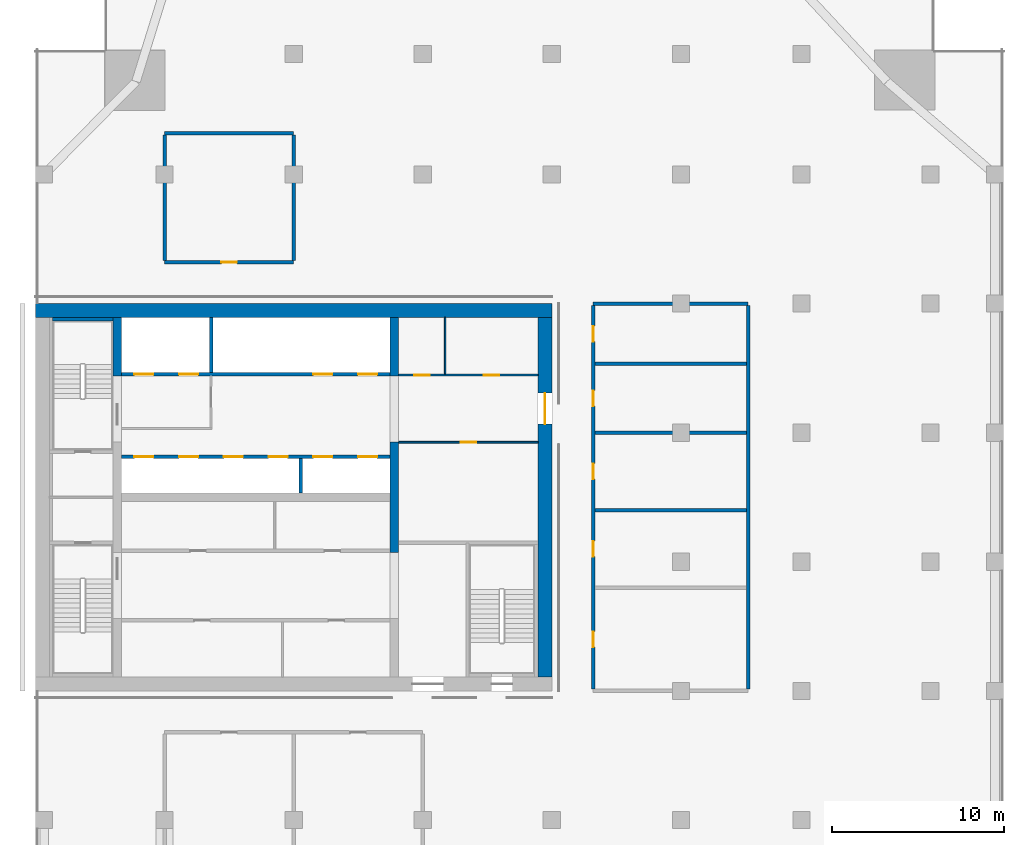
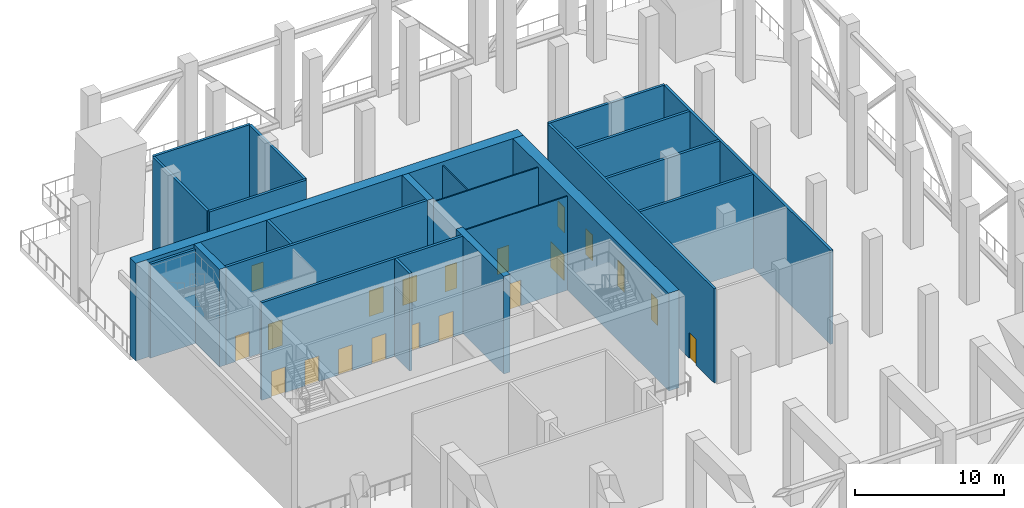
# One storey, part 4 of 12: 23 walls, 20 doors, 20 openings.
"""IFC4 building model written with IfcOpenShell, lengths in metres."""

from ifc_helpers import new_model, si_unit, direction, frame, frame_2d, origin, place, context, subcontext, project, spatial, rectangle, extrude, material, layer, layer_set, type_object, element, fill, save


model = new_model("IFC4")

# Units and contexts
model_context = context("Model", 3, precision=1e-05, world=origin(), true_north=direction((0.0, 1.0)))
body_context = subcontext(model_context, "Body", "Model", "MODEL_VIEW")
ifc_project = project(units=[si_unit("LENGTHUNIT", "METRE"), si_unit("AREAUNIT", "SQUARE_METRE"), si_unit("VOLUMEUNIT", "CUBIC_METRE"), si_unit("PLANEANGLEUNIT", "RADIAN"), si_unit("MASSUNIT", "GRAM", prefix="KILO")], contexts=[model_context])

# Site, building, storey
site_placement = place(None, origin())
site = spatial("IfcSite", under=ifc_project, at=site_placement, CompositionType="ELEMENT")
building_placement = place(site_placement, origin())
building = spatial("IfcBuilding", under=site, at=building_placement, Name="Tamorin Gate", CompositionType="ELEMENT")
storey_placement = place(building_placement, frame((0.0, 0.0, 166.199951171875)))
storey = spatial("IfcBuildingStorey", under=building, at=storey_placement, Name="L41", CompositionType="ELEMENT", Elevation=166.199951171875)

# Wall, openings, doors
ifc_material_1 = material(Name="Concrete C32/40", Category="concrete")
ifc_layer_1 = layer(ifc_material_1, 0.199951171875)
ifc_layer_set_1 = layer_set([ifc_layer_1], Name="Lift lobby face wall 200 EI 120")
wall_type_1 = type_object("IfcWallType", Name="Lift lobby face wall 200 EI 120", PredefinedType="SOLIDWALL", material=ifc_layer_set_1)
wall_1_placement = place(storey_placement, frame((35.0, 73.60009765625, 0.0), z_axis=(0.0, 0.0, 1.0), x_axis=(1.0, 0.0, 0.0)))
wall_1 = element("IfcWall", 1, at=wall_1_placement, inside=storey, type_object=wall_type_1, Name="Lift lobby face wall", PredefinedType="SOLIDWALL", context=body_context, shape_type="SweptSolid", body=[
    extrude(rectangle(XDim=15.60009765625, YDim=0.199951171875, at=frame_2d((7.800048828125, 0.0))), origin(), (0.0, 0.0, 1.0), 8.0),
])
opening_1_placement = place(wall_1_placement, frame((0.75, 0.0, 0.0)))
opening_1 = element("IfcOpeningElement", 2, at=opening_1_placement, cuts=wall_1, Name="Opening LD11", PredefinedType="OPENING", context=body_context, shape_type="SweptSolid", body=[
    extrude(rectangle(XDim=1.10009765625, YDim=2.10009765625, at=frame_2d((0.550048828125, 1.050048828125))), frame((0.0, 0.10986328125, 0.0), z_axis=(0.0, -1.0, 0.0), x_axis=(1.0, 0.0, 0.0)), (0.0, 0.0, 1.0), 0.219970703125),
])
opening_2_placement = place(wall_1_placement, frame((3.35009765625, 0.0, 0.0)))
opening_2 = element("IfcOpeningElement", 3, at=opening_2_placement, cuts=wall_1, Name="Opening LD12", PredefinedType="OPENING", context=body_context, shape_type="SweptSolid", body=[
    extrude(rectangle(XDim=1.10009765625, YDim=2.10009765625, at=frame_2d((0.550048828125, 1.050048828125))), frame((0.0, 0.10986328125, 0.0), z_axis=(0.0, -1.0, 0.0), x_axis=(1.0, 0.0, 0.0)), (0.0, 0.0, 1.0), 0.219970703125),
])
opening_3_placement = place(wall_1_placement, frame((5.949951171875, 0.0, 0.0)))
opening_3 = element("IfcOpeningElement", 4, at=opening_3_placement, cuts=wall_1, Name="Opening LD13", PredefinedType="OPENING", context=body_context, shape_type="SweptSolid", body=[
    extrude(rectangle(XDim=1.10009765625, YDim=2.10009765625, at=frame_2d((0.550048828125, 1.050048828125))), frame((0.0, 0.10986328125, 0.0), z_axis=(0.0, -1.0, 0.0), x_axis=(1.0, 0.0, 0.0)), (0.0, 0.0, 1.0), 0.219970703125),
])
opening_4_placement = place(wall_1_placement, frame((8.550048828125, 0.0, 0.0)))
opening_4 = element("IfcOpeningElement", 5, at=opening_4_placement, cuts=wall_1, Name="Opening LD14", PredefinedType="OPENING", context=body_context, shape_type="SweptSolid", body=[
    extrude(rectangle(XDim=1.10009765625, YDim=2.10009765625, at=frame_2d((0.550048828125, 1.050048828125))), frame((0.0, 0.10986328125, 0.0), z_axis=(0.0, -1.0, 0.0), x_axis=(1.0, 0.0, 0.0)), (0.0, 0.0, 1.0), 0.219970703125),
])
opening_5_placement = place(wall_1_placement, frame((11.14990234375, 0.0, 0.0)))
opening_5 = element("IfcOpeningElement", 6, at=opening_5_placement, cuts=wall_1, Name="Opening LD15", PredefinedType="OPENING", context=body_context, shape_type="SweptSolid", body=[
    extrude(rectangle(XDim=1.10009765625, YDim=2.10009765625, at=frame_2d((0.550048828125, 1.050048828125))), frame((0.0, 0.10986328125, 0.0), z_axis=(0.0, -1.0, 0.0), x_axis=(1.0, 0.0, 0.0)), (0.0, 0.0, 1.0), 0.219970703125),
])
opening_6_placement = place(wall_1_placement, frame((13.75, 0.0, 0.0)))
opening_6 = element("IfcOpeningElement", 7, at=opening_6_placement, cuts=wall_1, Name="Opening LD16", PredefinedType="OPENING", context=body_context, shape_type="SweptSolid", body=[
    extrude(rectangle(XDim=1.10009765625, YDim=2.10009765625, at=frame_2d((0.550048828125, 1.050048828125))), frame((0.0, 0.10986328125, 0.0), z_axis=(0.0, -1.0, 0.0), x_axis=(1.0, 0.0, 0.0)), (0.0, 0.0, 1.0), 0.219970703125),
])
ifc_material_2 = material(Name="Stainless steel sliding door", Category="steel")
door_type_1 = type_object("IfcDoorType", Name="Lift landing door 1100 x 2100 E 90", OperationType="DOUBLE_DOOR_SLIDING", PredefinedType="DOOR", material=ifc_material_2)
door_1_placement = place(opening_1_placement, origin())
door_1 = element("IfcDoor", 8, at=door_1_placement, inside=storey, type_object=door_type_1, Name="HR1 landing door", OperationType="DOUBLE_DOOR_SLIDING", OverallHeight=2.10009765625, OverallWidth=1.10009765625, PredefinedType="DOOR", context=body_context, shape_type="SweptSolid", body=[
    extrude(rectangle(XDim=1.10009765625, YDim=2.10009765625, at=frame_2d((0.550048828125, 1.050048828125))), frame((0.0, 0.02490234375, 0.0), z_axis=(0.0, -1.0, 0.0), x_axis=(1.0, 0.0, 0.0)), (0.0, 0.0, 1.0), 0.050048828125),
])
fill(opening_1, door_1)
door_2_placement = place(opening_2_placement, origin())
door_2 = element("IfcDoor", 9, at=door_2_placement, inside=storey, type_object=door_type_1, Name="HR2 landing door", OperationType="DOUBLE_DOOR_SLIDING", OverallHeight=2.10009765625, OverallWidth=1.10009765625, PredefinedType="DOOR", context=body_context, shape_type="SweptSolid", body=[
    extrude(rectangle(XDim=1.10009765625, YDim=2.10009765625, at=frame_2d((0.550048828125, 1.050048828125))), frame((0.0, 0.02490234375, 0.0), z_axis=(0.0, -1.0, 0.0), x_axis=(1.0, 0.0, 0.0)), (0.0, 0.0, 1.0), 0.050048828125),
])
fill(opening_2, door_2)
door_3_placement = place(opening_3_placement, origin())
door_3 = element("IfcDoor", 10, at=door_3_placement, inside=storey, type_object=door_type_1, Name="HR3 landing door", OperationType="DOUBLE_DOOR_SLIDING", OverallHeight=2.10009765625, OverallWidth=1.10009765625, PredefinedType="DOOR", context=body_context, shape_type="SweptSolid", body=[
    extrude(rectangle(XDim=1.10009765625, YDim=2.10009765625, at=frame_2d((0.550048828125, 1.050048828125))), frame((0.0, 0.02490234375, 0.0), z_axis=(0.0, -1.0, 0.0), x_axis=(1.0, 0.0, 0.0)), (0.0, 0.0, 1.0), 0.050048828125),
])
fill(opening_3, door_3)
door_4_placement = place(opening_4_placement, origin())
door_4 = element("IfcDoor", 11, at=door_4_placement, inside=storey, type_object=door_type_1, Name="HR4 landing door", OperationType="DOUBLE_DOOR_SLIDING", OverallHeight=2.10009765625, OverallWidth=1.10009765625, PredefinedType="DOOR", context=body_context, shape_type="SweptSolid", body=[
    extrude(rectangle(XDim=1.10009765625, YDim=2.10009765625, at=frame_2d((0.550048828125, 1.050048828125))), frame((0.0, 0.02490234375, 0.0), z_axis=(0.0, -1.0, 0.0), x_axis=(1.0, 0.0, 0.0)), (0.0, 0.0, 1.0), 0.050048828125),
])
fill(opening_4, door_4)
door_5_placement = place(opening_5_placement, origin())
door_5 = element("IfcDoor", 12, at=door_5_placement, inside=storey, type_object=door_type_1, Name="HR5 landing door", OperationType="DOUBLE_DOOR_SLIDING", OverallHeight=2.10009765625, OverallWidth=1.10009765625, PredefinedType="DOOR", context=body_context, shape_type="SweptSolid", body=[
    extrude(rectangle(XDim=1.10009765625, YDim=2.10009765625, at=frame_2d((0.550048828125, 1.050048828125))), frame((0.0, 0.02490234375, 0.0), z_axis=(0.0, -1.0, 0.0), x_axis=(1.0, 0.0, 0.0)), (0.0, 0.0, 1.0), 0.050048828125),
])
fill(opening_5, door_5)
door_6_placement = place(opening_6_placement, origin())
door_6 = element("IfcDoor", 13, at=door_6_placement, inside=storey, type_object=door_type_1, Name="HR6 landing door", OperationType="DOUBLE_DOOR_SLIDING", OverallHeight=2.10009765625, OverallWidth=1.10009765625, PredefinedType="DOOR", context=body_context, shape_type="SweptSolid", body=[
    extrude(rectangle(XDim=1.10009765625, YDim=2.10009765625, at=frame_2d((0.550048828125, 1.050048828125))), frame((0.0, 0.02490234375, 0.0), z_axis=(0.0, -1.0, 0.0), x_axis=(1.0, 0.0, 0.0)), (0.0, 0.0, 1.0), 0.050048828125),
])
fill(opening_6, door_6)

wall_2_placement = place(storey_placement, frame((35.0, 78.39990234375, 0.0), z_axis=(0.0, 0.0, 1.0), x_axis=(1.0, 0.0, 0.0)))
wall_2 = element("IfcWall", 14, at=wall_2_placement, inside=storey, type_object=wall_type_1, Name="Lift lobby face wall", PredefinedType="SOLIDWALL", context=body_context, shape_type="SweptSolid", body=[
    extrude(rectangle(XDim=15.60009765625, YDim=0.199951171875, at=frame_2d((7.800048828125, 0.0))), origin(), (0.0, 0.0, 1.0), 8.0),
])
opening_7_placement = place(wall_2_placement, frame((0.75, 0.0, 0.0)))
opening_7 = element("IfcOpeningElement", 15, at=opening_7_placement, cuts=wall_2, Name="Opening LD17", PredefinedType="OPENING", context=body_context, shape_type="SweptSolid", body=[
    extrude(rectangle(XDim=1.10009765625, YDim=2.10009765625, at=frame_2d((0.550048828125, 1.050048828125))), frame((0.0, 0.10986328125, 0.0), z_axis=(0.0, -1.0, 0.0), x_axis=(1.0, 0.0, 0.0)), (0.0, 0.0, 1.0), 0.219970703125),
])
opening_8_placement = place(wall_2_placement, frame((3.35009765625, 0.0, 0.0)))
opening_8 = element("IfcOpeningElement", 16, at=opening_8_placement, cuts=wall_2, Name="Opening LD18", PredefinedType="OPENING", context=body_context, shape_type="SweptSolid", body=[
    extrude(rectangle(XDim=1.10009765625, YDim=2.10009765625, at=frame_2d((0.550048828125, 1.050048828125))), frame((0.0, 0.10986328125, 0.0), z_axis=(0.0, -1.0, 0.0), x_axis=(1.0, 0.0, 0.0)), (0.0, 0.0, 1.0), 0.219970703125),
])
opening_9_placement = place(wall_2_placement, frame((11.14990234375, 0.0, 0.0)))
opening_9 = element("IfcOpeningElement", 17, at=opening_9_placement, cuts=wall_2, Name="Opening LD21", PredefinedType="OPENING", context=body_context, shape_type="SweptSolid", body=[
    extrude(rectangle(XDim=1.10009765625, YDim=2.10009765625, at=frame_2d((0.550048828125, 1.050048828125))), frame((0.0, 0.10986328125, 0.0), z_axis=(0.0, -1.0, 0.0), x_axis=(1.0, 0.0, 0.0)), (0.0, 0.0, 1.0), 0.219970703125),
])
opening_10_placement = place(wall_2_placement, frame((13.75, 0.0, 0.0)))
opening_10 = element("IfcOpeningElement", 18, at=opening_10_placement, cuts=wall_2, Name="Opening LD22", PredefinedType="OPENING", context=body_context, shape_type="SweptSolid", body=[
    extrude(rectangle(XDim=1.10009765625, YDim=2.10009765625, at=frame_2d((0.550048828125, 1.050048828125))), frame((0.0, 0.10986328125, 0.0), z_axis=(0.0, -1.0, 0.0), x_axis=(1.0, 0.0, 0.0)), (0.0, 0.0, 1.0), 0.219970703125),
])
door_7_placement = place(opening_7_placement, origin())
door_7 = element("IfcDoor", 19, at=door_7_placement, inside=storey, type_object=door_type_1, Name="FF1 landing door", OperationType="DOUBLE_DOOR_SLIDING", OverallHeight=2.10009765625, OverallWidth=1.10009765625, PredefinedType="DOOR", context=body_context, shape_type="SweptSolid", body=[
    extrude(rectangle(XDim=1.10009765625, YDim=2.10009765625, at=frame_2d((0.550048828125, 1.050048828125))), frame((0.0, 0.02490234375, 0.0), z_axis=(0.0, -1.0, 0.0), x_axis=(1.0, 0.0, 0.0)), (0.0, 0.0, 1.0), 0.050048828125),
])
fill(opening_7, door_7)
door_8_placement = place(opening_8_placement, origin())
door_8 = element("IfcDoor", 20, at=door_8_placement, inside=storey, type_object=door_type_1, Name="FF2 landing door", OperationType="DOUBLE_DOOR_SLIDING", OverallHeight=2.10009765625, OverallWidth=1.10009765625, PredefinedType="DOOR", context=body_context, shape_type="SweptSolid", body=[
    extrude(rectangle(XDim=1.10009765625, YDim=2.10009765625, at=frame_2d((0.550048828125, 1.050048828125))), frame((0.0, 0.02490234375, 0.0), z_axis=(0.0, -1.0, 0.0), x_axis=(1.0, 0.0, 0.0)), (0.0, 0.0, 1.0), 0.050048828125),
])
fill(opening_8, door_8)
door_9_placement = place(opening_9_placement, origin())
door_9 = element("IfcDoor", 21, at=door_9_placement, inside=storey, type_object=door_type_1, Name="SV1 landing door", OperationType="DOUBLE_DOOR_SLIDING", OverallHeight=2.10009765625, OverallWidth=1.10009765625, PredefinedType="DOOR", context=body_context, shape_type="SweptSolid", body=[
    extrude(rectangle(XDim=1.10009765625, YDim=2.10009765625, at=frame_2d((0.550048828125, 1.050048828125))), frame((0.0, 0.02490234375, 0.0), z_axis=(0.0, -1.0, 0.0), x_axis=(1.0, 0.0, 0.0)), (0.0, 0.0, 1.0), 0.050048828125),
])
fill(opening_9, door_9)
door_10_placement = place(opening_10_placement, origin())
door_10 = element("IfcDoor", 22, at=door_10_placement, inside=storey, type_object=door_type_1, Name="SV2 landing door", OperationType="DOUBLE_DOOR_SLIDING", OverallHeight=2.10009765625, OverallWidth=1.10009765625, PredefinedType="DOOR", context=body_context, shape_type="SweptSolid", body=[
    extrude(rectangle(XDim=1.10009765625, YDim=2.10009765625, at=frame_2d((0.550048828125, 1.050048828125))), frame((0.0, 0.02490234375, 0.0), z_axis=(0.0, -1.0, 0.0), x_axis=(1.0, 0.0, 0.0)), (0.0, 0.0, 1.0), 0.050048828125),
])
fill(opening_10, door_10)

# Walls
ifc_layer_2 = layer(ifc_material_1, 0.199951171875)
ifc_layer_set_2 = layer_set([ifc_layer_2], Name="Lift shaft wall 200 EI 120")
wall_type_2 = type_object("IfcWallType", Name="Lift shaft wall 200 EI 120", PredefinedType="SOLIDWALL", material=ifc_layer_set_2)
wall_3_placement = place(storey_placement, frame((45.39990234375, 71.5, 0.0), z_axis=(0.0, 0.0, 1.0), x_axis=(0.0, 1.0, 0.0)))
element("IfcWall", 23, at=wall_3_placement, inside=storey, type_object=wall_type_2, Name="Lift shaft wall", PredefinedType="SOLIDWALL", context=body_context, shape_type="SweptSolid", body=[
    extrude(rectangle(XDim=2.0, YDim=0.199951171875, at=frame_2d((1.0, 0.0))), origin(), (0.0, 0.0, 1.0), 8.0),
])
wall_4_placement = place(storey_placement, frame((40.199951171875, 78.5, 0.0), z_axis=(0.0, 0.0, 1.0), x_axis=(0.0, 1.0, 0.0)))
element("IfcWall", 24, at=wall_4_placement, inside=storey, type_object=wall_type_2, Name="Lift shaft wall", PredefinedType="SOLIDWALL", context=body_context, shape_type="SweptSolid", body=[
    extrude(rectangle(XDim=3.199951171875, YDim=0.199951171875, at=frame_2d((1.60009765625, 0.0))), origin(), (0.0, 0.0, 1.0), 8.0),
])
ifc_material_3 = material(Name="Gypsum board partition")
ifc_layer_3 = layer(ifc_material_3, 0.199951171875)
ifc_layer_set_3 = layer_set([ifc_layer_3], Name="Plant and refuge wall 200")
wall_type_3 = type_object("IfcWallType", Name="Plant and refuge wall 200", PredefinedType="PARTITIONING", material=ifc_layer_set_3)
for number, where, z_axis, x_axis, name in (
    (25, (62.5, 70.5, 0.0), (0.0, 0.0, 1.0), (1.0, 0.0, 0.0), "Plant and refuge wall 200"),
    (26, (62.5, 75.0, 0.0), (0.0, 0.0, 1.0), (1.0, 0.0, 0.0), "Plant and refuge wall 200"),
    (27, (62.5, 79.0, 0.0), (0.0, 0.0, 1.0), (1.0, 0.0, 0.0), "Plant and refuge wall 200"),
):
    element("IfcWall", number, at=place(storey_placement, frame(where, z_axis=z_axis, x_axis=x_axis)), inside=storey, type_object=wall_type_3, Name=name, PredefinedType="PARTITIONING", context=body_context, shape_type="SweptSolid", body=[
        extrude(rectangle(XDim=8.800048828125, YDim=0.199951171875, at=frame_2d((4.39990234375, 0.0))), origin(), (0.0, 0.0, 1.0), 7.699951171875),
    ])
wall_5_placement = place(storey_placement, frame((62.39990234375, 82.5, 0.0), z_axis=(0.0, 0.0, 1.0), x_axis=(1.0, 0.0, 0.0)))
element("IfcWall", 28, at=wall_5_placement, inside=storey, type_object=wall_type_3, Name="Plant and refuge wall 200", PredefinedType="PARTITIONING", context=body_context, shape_type="SweptSolid", body=[
    extrude(rectangle(XDim=9.0, YDim=0.199951171875, at=frame_2d((4.5, 0.0))), origin(), (0.0, 0.0, 1.0), 7.699951171875),
])

# Wall, opening, door
wall_6_placement = place(storey_placement, frame((37.5, 84.89990234375, 0.0), z_axis=(0.0, 0.0, 1.0), x_axis=(1.0, 0.0, 0.0)))
wall_6 = element("IfcWall", 29, at=wall_6_placement, inside=storey, type_object=wall_type_3, Name="Plant and refuge wall 200", PredefinedType="PARTITIONING", context=body_context, shape_type="SweptSolid", body=[
    extrude(rectangle(XDim=7.5, YDim=0.199951171875, at=frame_2d((3.75, 0.0))), origin(), (0.0, 0.0, 1.0), 7.699951171875),
])
opening_11_placement = place(wall_6_placement, frame((3.300048828125, 0.0, 0.0)))
opening_11 = element("IfcOpeningElement", 30, at=opening_11_placement, cuts=wall_6, Name="Opening DWF1008", PredefinedType="OPENING", context=body_context, shape_type="SweptSolid", body=[
    extrude(rectangle(XDim=0.89990234375, YDim=2.10009765625, at=frame_2d((0.449951171875, 1.050048828125))), frame((0.0, 0.10986328125, 0.0), z_axis=(0.0, -1.0, 0.0), x_axis=(1.0, 0.0, 0.0)), (0.0, 0.0, 1.0), 0.219970703125),
])
ifc_material_4 = material(Name="Timber door leaf", Category="wood")
door_type_2 = type_object("IfcDoorType", Name="Door 900 x 2100 FD60", OperationType="NOTDEFINED", PredefinedType="DOOR", material=ifc_material_4)
door_11_placement = place(opening_11_placement, origin())
door_11 = element("IfcDoor", 31, at=door_11_placement, inside=storey, type_object=door_type_2, Name="Door DWF1008", OperationType="SINGLE_SWING_LEFT", OverallHeight=2.10009765625, OverallWidth=0.89990234375, PredefinedType="DOOR", context=body_context, shape_type="SweptSolid", body=[
    extrude(rectangle(XDim=0.89990234375, YDim=2.10009765625, at=frame_2d((0.449951171875, 1.050048828125))), frame((0.0, 0.02490234375, 0.0), z_axis=(0.0, -1.0, 0.0), x_axis=(1.0, 0.0, 0.0)), (0.0, 0.0, 1.0), 0.050048828125),
])
fill(opening_11, door_11)

# Walls
wall_7_placement = place(storey_placement, frame((37.5, 92.39990234375, 0.0), z_axis=(0.0, 0.0, 1.0), x_axis=(1.0, 0.0, 0.0)))
element("IfcWall", 32, at=wall_7_placement, inside=storey, type_object=wall_type_3, Name="Plant and refuge wall 200", PredefinedType="PARTITIONING", context=body_context, shape_type="SweptSolid", body=[
    extrude(rectangle(XDim=7.5, YDim=0.199951171875, at=frame_2d((3.75, 0.0))), origin(), (0.0, 0.0, 1.0), 7.699951171875),
])
for number, where, z_axis, x_axis, name in (
    (33, (37.5, 85.0, 0.0), (0.0, 0.0, 1.0), (0.0, 1.0, 0.0), "Plant and refuge wall 200"),
    (34, (45.0, 85.0, 0.0), (0.0, 0.0, 1.0), (0.0, 1.0, 0.0), "Plant and refuge wall 200"),
):
    element("IfcWall", number, at=place(storey_placement, frame(where, z_axis=z_axis, x_axis=x_axis)), inside=storey, type_object=wall_type_3, Name=name, PredefinedType="PARTITIONING", context=body_context, shape_type="SweptSolid", body=[
        extrude(rectangle(XDim=7.300048828125, YDim=0.199951171875, at=frame_2d((3.64990234375, 0.0))), origin(), (0.0, 0.0, 1.0), 7.699951171875),
    ])

# Wall, openings, doors
wall_8_placement = place(storey_placement, frame((62.39990234375, 60.10009765625, 0.0), z_axis=(0.0, 0.0, 1.0), x_axis=(0.0, 1.0, 0.0)))
wall_8 = element("IfcWall", 35, at=wall_8_placement, inside=storey, type_object=wall_type_3, Name="Plant and refuge wall 200", PredefinedType="PARTITIONING", context=body_context, shape_type="SweptSolid", body=[
    extrude(rectangle(XDim=22.2998046875, YDim=0.199951171875, at=frame_2d((11.14990234375, 0.0))), origin(), (0.0, 0.0, 1.0), 7.699951171875),
])
opening_12_placement = place(wall_8_placement, frame((2.449951171875, 0.0, 0.0)))
opening_12 = element("IfcOpeningElement", 36, at=opening_12_placement, cuts=wall_8, Name="Opening DWF1001", PredefinedType="OPENING", context=body_context, shape_type="SweptSolid", body=[
    extrude(rectangle(XDim=0.89990234375, YDim=2.10009765625, at=frame_2d((0.449951171875, 1.050048828125))), frame((0.0, 0.10986328125, 0.0), z_axis=(0.0, -1.0, 0.0), x_axis=(1.0, 0.0, 0.0)), (0.0, 0.0, 1.0), 0.219970703125),
])
opening_13_placement = place(wall_8_placement, frame((7.699951171875, 0.0, 0.0)))
opening_13 = element("IfcOpeningElement", 37, at=opening_13_placement, cuts=wall_8, Name="Opening DWF1002", PredefinedType="OPENING", context=body_context, shape_type="SweptSolid", body=[
    extrude(rectangle(XDim=0.89990234375, YDim=2.10009765625, at=frame_2d((0.449951171875, 1.050048828125))), frame((0.0, 0.10986328125, 0.0), z_axis=(0.0, -1.0, 0.0), x_axis=(1.0, 0.0, 0.0)), (0.0, 0.0, 1.0), 0.219970703125),
])
opening_14_placement = place(wall_8_placement, frame((12.199951171875, 0.0, 0.0)))
opening_14 = element("IfcOpeningElement", 38, at=opening_14_placement, cuts=wall_8, Name="Opening DWF1003", PredefinedType="OPENING", context=body_context, shape_type="SweptSolid", body=[
    extrude(rectangle(XDim=0.89990234375, YDim=2.10009765625, at=frame_2d((0.449951171875, 1.050048828125))), frame((0.0, 0.10986328125, 0.0), z_axis=(0.0, -1.0, 0.0), x_axis=(1.0, 0.0, 0.0)), (0.0, 0.0, 1.0), 0.219970703125),
])
opening_15_placement = place(wall_8_placement, frame((16.449951171875, 0.0, 0.0)))
opening_15 = element("IfcOpeningElement", 39, at=opening_15_placement, cuts=wall_8, Name="Opening DWF1004", PredefinedType="OPENING", context=body_context, shape_type="SweptSolid", body=[
    extrude(rectangle(XDim=0.89990234375, YDim=2.10009765625, at=frame_2d((0.449951171875, 1.050048828125))), frame((0.0, 0.10986328125, 0.0), z_axis=(0.0, -1.0, 0.0), x_axis=(1.0, 0.0, 0.0)), (0.0, 0.0, 1.0), 0.219970703125),
])
opening_16_placement = place(wall_8_placement, frame((20.199951171875, 0.0, 0.0)))
opening_16 = element("IfcOpeningElement", 40, at=opening_16_placement, cuts=wall_8, Name="Opening DWF1005", PredefinedType="OPENING", context=body_context, shape_type="SweptSolid", body=[
    extrude(rectangle(XDim=0.89990234375, YDim=2.10009765625, at=frame_2d((0.449951171875, 1.050048828125))), frame((0.0, 0.10986328125, 0.0), z_axis=(0.0, -1.0, 0.0), x_axis=(1.0, 0.0, 0.0)), (0.0, 0.0, 1.0), 0.219970703125),
])
door_12_placement = place(opening_12_placement, origin())
door_12 = element("IfcDoor", 41, at=door_12_placement, inside=storey, type_object=door_type_2, Name="Door DWF1001", OperationType="SINGLE_SWING_RIGHT", OverallHeight=2.10009765625, OverallWidth=0.89990234375, PredefinedType="DOOR", context=body_context, shape_type="SweptSolid", body=[
    extrude(rectangle(XDim=0.89990234375, YDim=2.10009765625, at=frame_2d((0.449951171875, 1.050048828125))), frame((0.0, 0.02490234375, 0.0), z_axis=(0.0, -1.0, 0.0), x_axis=(1.0, 0.0, 0.0)), (0.0, 0.0, 1.0), 0.050048828125),
])
fill(opening_12, door_12)
door_13_placement = place(opening_13_placement, origin())
door_13 = element("IfcDoor", 42, at=door_13_placement, inside=storey, type_object=door_type_2, Name="Door DWF1002", OperationType="SINGLE_SWING_RIGHT", OverallHeight=2.10009765625, OverallWidth=0.89990234375, PredefinedType="DOOR", context=body_context, shape_type="SweptSolid", body=[
    extrude(rectangle(XDim=0.89990234375, YDim=2.10009765625, at=frame_2d((0.449951171875, 1.050048828125))), frame((0.0, 0.02490234375, 0.0), z_axis=(0.0, -1.0, 0.0), x_axis=(1.0, 0.0, 0.0)), (0.0, 0.0, 1.0), 0.050048828125),
])
fill(opening_13, door_13)
door_14_placement = place(opening_14_placement, origin())
door_14 = element("IfcDoor", 43, at=door_14_placement, inside=storey, type_object=door_type_2, Name="Door DWF1003", OperationType="SINGLE_SWING_RIGHT", OverallHeight=2.10009765625, OverallWidth=0.89990234375, PredefinedType="DOOR", context=body_context, shape_type="SweptSolid", body=[
    extrude(rectangle(XDim=0.89990234375, YDim=2.10009765625, at=frame_2d((0.449951171875, 1.050048828125))), frame((0.0, 0.02490234375, 0.0), z_axis=(0.0, -1.0, 0.0), x_axis=(1.0, 0.0, 0.0)), (0.0, 0.0, 1.0), 0.050048828125),
])
fill(opening_14, door_14)
door_15_placement = place(opening_15_placement, origin())
door_15 = element("IfcDoor", 44, at=door_15_placement, inside=storey, type_object=door_type_2, Name="Door DWF1004", OperationType="SINGLE_SWING_RIGHT", OverallHeight=2.10009765625, OverallWidth=0.89990234375, PredefinedType="DOOR", context=body_context, shape_type="SweptSolid", body=[
    extrude(rectangle(XDim=0.89990234375, YDim=2.10009765625, at=frame_2d((0.449951171875, 1.050048828125))), frame((0.0, 0.02490234375, 0.0), z_axis=(0.0, -1.0, 0.0), x_axis=(1.0, 0.0, 0.0)), (0.0, 0.0, 1.0), 0.050048828125),
])
fill(opening_15, door_15)
door_16_placement = place(opening_16_placement, origin())
door_16 = element("IfcDoor", 45, at=door_16_placement, inside=storey, type_object=door_type_2, Name="Door DWF1005", OperationType="SINGLE_SWING_RIGHT", OverallHeight=2.10009765625, OverallWidth=0.89990234375, PredefinedType="DOOR", context=body_context, shape_type="SweptSolid", body=[
    extrude(rectangle(XDim=0.89990234375, YDim=2.10009765625, at=frame_2d((0.449951171875, 1.050048828125))), frame((0.0, 0.02490234375, 0.0), z_axis=(0.0, -1.0, 0.0), x_axis=(1.0, 0.0, 0.0)), (0.0, 0.0, 1.0), 0.050048828125),
])
fill(opening_16, door_16)

# Walls
wall_9_placement = place(storey_placement, frame((71.39990234375, 60.10009765625, 0.0), z_axis=(0.0, 0.0, 1.0), x_axis=(0.0, 1.0, 0.0)))
element("IfcWall", 46, at=wall_9_placement, inside=storey, type_object=wall_type_3, Name="Plant and refuge wall 200", PredefinedType="PARTITIONING", context=body_context, shape_type="SweptSolid", body=[
    extrude(rectangle(XDim=22.2998046875, YDim=0.199951171875, at=frame_2d((11.14990234375, 0.0))), origin(), (0.0, 0.0, 1.0), 7.699951171875),
])
ifc_material_5 = material(Name="Concrete C60/75", Category="concrete")
ifc_layer_4 = layer(ifc_material_5, 0.5)
ifc_layer_set_4 = layer_set([ifc_layer_4], Name="RC core internal wall 500 C60/75")
wall_type_4 = type_object("IfcWallType", Name="RC core internal wall 500 C60/75", PredefinedType="SHEAR", material=ifc_layer_set_4)
wall_10_placement = place(storey_placement, frame((34.75, 78.300048828125, 0.0), z_axis=(0.0, 0.0, 1.0), x_axis=(0.0, 1.0, 0.0)))
element("IfcWall", 47, at=wall_10_placement, inside=storey, type_object=wall_type_4, Name="Core cross wall L41", PredefinedType="SHEAR", context=body_context, shape_type="SweptSolid", body=[
    extrude(rectangle(XDim=3.39990234375, YDim=0.5, at=frame_2d((1.699951171875, 0.0))), origin(), (0.0, 0.0, 1.0), 8.0),
])
wall_11_placement = place(storey_placement, frame((50.85009765625, 68.050048828125, 0.0), z_axis=(0.0, 0.0, 1.0), x_axis=(0.0, 1.0, 0.0)))
element("IfcWall", 48, at=wall_11_placement, inside=storey, type_object=wall_type_4, Name="Core cross wall L41", PredefinedType="SHEAR", context=body_context, shape_type="SweptSolid", body=[
    extrude(rectangle(XDim=6.39990234375, YDim=0.5, at=frame_2d((3.199951171875, 0.0))), origin(), (0.0, 0.0, 1.0), 8.0),
])
wall_12_placement = place(storey_placement, frame((50.85009765625, 78.300048828125, 0.0), z_axis=(0.0, 0.0, 1.0), x_axis=(0.0, 1.0, 0.0)))
element("IfcWall", 49, at=wall_12_placement, inside=storey, type_object=wall_type_4, Name="Core cross wall L41", PredefinedType="SHEAR", context=body_context, shape_type="SweptSolid", body=[
    extrude(rectangle(XDim=3.39990234375, YDim=0.5, at=frame_2d((1.699951171875, 0.0))), origin(), (0.0, 0.0, 1.0), 8.0),
])
ifc_layer_5 = layer(ifc_material_5, 0.800048828125)
ifc_layer_set_5 = layer_set([ifc_layer_5], Name="RC core wall 800 C60/75")
wall_type_5 = type_object("IfcWallType", Name="RC core wall 800 C60/75", PredefinedType="SHEAR", material=ifc_layer_set_5)
wall_13_placement = place(storey_placement, frame((30.0, 82.10009765625, 0.0), z_axis=(0.0, 0.0, 1.0), x_axis=(1.0, 0.0, 0.0)))
element("IfcWall", 50, at=wall_13_placement, inside=storey, type_object=wall_type_5, Name="Core wall L41", PredefinedType="SHEAR", context=body_context, shape_type="SweptSolid", body=[
    extrude(rectangle(XDim=30.0, YDim=0.800048828125, at=frame_2d((15.0, 0.0))), origin(), (0.0, 0.0, 1.0), 8.0),
])

# Wall, opening, door
wall_14_placement = place(storey_placement, frame((59.60009765625, 60.800048828125, 0.0), z_axis=(0.0, 0.0, 1.0), x_axis=(0.0, 1.0, 0.0)))
wall_14 = element("IfcWall", 51, at=wall_14_placement, inside=storey, type_object=wall_type_5, Name="Core wall L41", PredefinedType="SHEAR", context=body_context, shape_type="SweptSolid", body=[
    extrude(rectangle(XDim=20.89990234375, YDim=0.800048828125, at=frame_2d((10.449951171875, 0.0))), origin(), (0.0, 0.0, 1.0), 8.0),
])
opening_17_placement = place(wall_14_placement, frame((14.699951171875, 0.0, 0.0)))
opening_17 = element("IfcOpeningElement", 52, at=opening_17_placement, cuts=wall_14, Name="Opening DE1", PredefinedType="OPENING", context=body_context, shape_type="SweptSolid", body=[
    extrude(rectangle(XDim=1.800048828125, YDim=2.10009765625, at=frame_2d((0.89990234375, 1.050048828125))), frame((0.0, 0.409912109375, 0.0), z_axis=(0.0, -1.0, 0.0), x_axis=(1.0, 0.0, 0.0)), (0.0, 0.0, 1.0), 0.820068359375),
])
ifc_material_6 = material(Name="Steel fire door", Category="steel")
door_type_3 = type_object("IfcDoorType", Name="Lobby exit double door 1800 x 2100 EI 60", OperationType="DOUBLE_DOOR_SINGLE_SWING", PredefinedType="DOOR", material=ifc_material_6)
door_17_placement = place(opening_17_placement, origin())
door_17 = element("IfcDoor", 53, at=door_17_placement, inside=storey, type_object=door_type_3, Name="Lift lobby B exit door", OperationType="DOUBLE_DOOR_SINGLE_SWING", OverallHeight=2.10009765625, OverallWidth=1.800048828125, PredefinedType="DOOR", context=body_context, shape_type="SweptSolid", body=[
    extrude(rectangle(XDim=1.800048828125, YDim=2.10009765625, at=frame_2d((0.89990234375, 1.050048828125))), frame((0.0, 0.02490234375, 0.0), z_axis=(0.0, -1.0, 0.0), x_axis=(1.0, 0.0, 0.0)), (0.0, 0.0, 1.0), 0.050048828125),
])
fill(opening_17, door_17)

ifc_layer_6 = layer(ifc_material_3, 0.10009765625)
ifc_layer_set_6 = layer_set([ifc_layer_6], Name="Service room partition 100 EI 60")
wall_type_6 = type_object("IfcWallType", Name="Service room partition 100 EI 60", PredefinedType="PARTITIONING", material=ifc_layer_set_6)
wall_15_placement = place(storey_placement, frame((51.10009765625, 74.449951171875, 0.0), z_axis=(0.0, 0.0, 1.0), x_axis=(1.0, 0.0, 0.0)))
wall_15 = element("IfcWall", 54, at=wall_15_placement, inside=storey, type_object=wall_type_6, Name="Service room wall", PredefinedType="PARTITIONING", context=body_context, shape_type="SweptSolid", body=[
    extrude(rectangle(XDim=8.099853515625, YDim=0.10009765625, at=frame_2d((4.0498046875, 0.0))), origin(), (0.0, 0.0, 1.0), 7.699951171875),
])
opening_18_placement = place(wall_15_placement, frame((3.60009765625, 0.0, 0.0)))
opening_18 = element("IfcOpeningElement", 55, at=opening_18_placement, cuts=wall_15, Name="Opening DR1", PredefinedType="OPENING", context=body_context, shape_type="SweptSolid", body=[
    extrude(rectangle(XDim=0.89990234375, YDim=2.10009765625, at=frame_2d((0.449951171875, 1.050048828125))), frame((0.0, 0.06005859375, 0.0), z_axis=(0.0, -1.0, 0.0), x_axis=(1.0, 0.0, 0.0)), (0.0, 0.0, 1.0), 0.1201171875),
])
door_type_4 = type_object("IfcDoorType", Name="Riser access door 900 x 2100 EI 120", OperationType="SINGLE_SWING_LEFT", PredefinedType="DOOR", material=ifc_material_6)
door_18_placement = place(opening_18_placement, origin())
door_18 = element("IfcDoor", 56, at=door_18_placement, inside=storey, type_object=door_type_4, Name="Duct riser door", OperationType="SINGLE_SWING_LEFT", OverallHeight=2.10009765625, OverallWidth=0.89990234375, PredefinedType="DOOR", context=body_context, shape_type="SweptSolid", body=[
    extrude(rectangle(XDim=0.89990234375, YDim=2.10009765625, at=frame_2d((0.449951171875, 1.050048828125))), frame((0.0, 0.02490234375, 0.0), z_axis=(0.0, -1.0, 0.0), x_axis=(1.0, 0.0, 0.0)), (0.0, 0.0, 1.0), 0.050048828125),
])
fill(opening_18, door_18)

# Wall, openings, doors
wall_16_placement = place(storey_placement, frame((51.10009765625, 78.35009765625, 0.0), z_axis=(0.0, 0.0, 1.0), x_axis=(1.0, 0.0, 0.0)))
wall_16 = element("IfcWall", 57, at=wall_16_placement, inside=storey, type_object=wall_type_6, Name="Service room wall", PredefinedType="PARTITIONING", context=body_context, shape_type="SweptSolid", body=[
    extrude(rectangle(XDim=8.099853515625, YDim=0.10009765625, at=frame_2d((4.0498046875, 0.0))), origin(), (0.0, 0.0, 1.0), 7.699951171875),
])
opening_19_placement = place(wall_16_placement, frame((0.89990234375, 0.0, 0.0)))
opening_19 = element("IfcOpeningElement", 58, at=opening_19_placement, cuts=wall_16, Name="Opening DK1", PredefinedType="OPENING", context=body_context, shape_type="SweptSolid", body=[
    extrude(rectangle(XDim=0.89990234375, YDim=2.10009765625, at=frame_2d((0.449951171875, 1.050048828125))), frame((0.0, 0.06005859375, 0.0), z_axis=(0.0, -1.0, 0.0), x_axis=(1.0, 0.0, 0.0)), (0.0, 0.0, 1.0), 0.1201171875),
])
opening_20_placement = place(wall_16_placement, frame((4.949951171875, 0.0, 0.0)))
opening_20 = element("IfcOpeningElement", 59, at=opening_20_placement, cuts=wall_16, Name="Opening DK1", PredefinedType="OPENING", context=body_context, shape_type="SweptSolid", body=[
    extrude(rectangle(XDim=0.89990234375, YDim=2.10009765625, at=frame_2d((0.449951171875, 1.050048828125))), frame((0.0, 0.06005859375, 0.0), z_axis=(0.0, -1.0, 0.0), x_axis=(1.0, 0.0, 0.0)), (0.0, 0.0, 1.0), 0.1201171875),
])
ifc_material_7 = material(Name="Timber fire door", Category="wood")
door_type_5 = type_object("IfcDoorType", Name="Service room door 900 x 2100 EI 60", OperationType="SINGLE_SWING_LEFT", PredefinedType="DOOR", material=ifc_material_7)
door_19_placement = place(opening_19_placement, origin())
door_19 = element("IfcDoor", 60, at=door_19_placement, inside=storey, type_object=door_type_5, Name="Door Electrical switch room", OperationType="SINGLE_SWING_LEFT", OverallHeight=2.10009765625, OverallWidth=0.89990234375, PredefinedType="DOOR", context=body_context, shape_type="SweptSolid", body=[
    extrude(rectangle(XDim=0.89990234375, YDim=2.10009765625, at=frame_2d((0.449951171875, 1.050048828125))), frame((0.0, 0.02490234375, 0.0), z_axis=(0.0, -1.0, 0.0), x_axis=(1.0, 0.0, 0.0)), (0.0, 0.0, 1.0), 0.050048828125),
])
fill(opening_19, door_19)
door_20_placement = place(opening_20_placement, origin())
door_20 = element("IfcDoor", 61, at=door_20_placement, inside=storey, type_object=door_type_5, Name="Door Fire pump room", OperationType="SINGLE_SWING_RIGHT", OverallHeight=2.10009765625, OverallWidth=0.89990234375, PredefinedType="DOOR", context=body_context, shape_type="SweptSolid", body=[
    extrude(rectangle(XDim=0.89990234375, YDim=2.10009765625, at=frame_2d((0.449951171875, 1.050048828125))), frame((0.0, 0.02490234375, 0.0), z_axis=(0.0, -1.0, 0.0), x_axis=(1.0, 0.0, 0.0)), (0.0, 0.0, 1.0), 0.050048828125),
])
fill(opening_20, door_20)

# Walls
wall_17_placement = place(storey_placement, frame((53.800048828125, 78.39990234375, 0.0), z_axis=(0.0, 0.0, 1.0), x_axis=(0.0, 1.0, 0.0)))
element("IfcWall", 62, at=wall_17_placement, inside=storey, type_object=wall_type_6, Name="Service room partition", PredefinedType="PARTITIONING", context=body_context, shape_type="SweptSolid", body=[
    extrude(rectangle(XDim=3.300048828125, YDim=0.10009765625, at=frame_2d((1.64990234375, 0.0))), origin(), (0.0, 0.0, 1.0), 7.699951171875),
])
ifc_layer_7 = layer(ifc_material_5, 0.199951171875)
ifc_layer_set_7 = layer_set([ifc_layer_7], Name="Stair lining wall 200 EI 120 C60/75")
wall_type_7 = type_object("IfcWallType", Name="Stair lining wall 200 EI 120 C60/75", PredefinedType="SOLIDWALL", material=ifc_layer_set_7)
wall_18_placement = place(storey_placement, frame((31.0, 81.60009765625, 0.0), z_axis=(0.0, 0.0, 1.0), x_axis=(1.0, 0.0, 0.0)))
element("IfcWall", 63, at=wall_18_placement, inside=storey, type_object=wall_type_7, Name="Stair lining wall", PredefinedType="SOLIDWALL", context=body_context, shape_type="SweptSolid", body=[
    extrude(rectangle(XDim=3.5, YDim=0.199951171875, at=frame_2d((1.75, 0.0))), origin(), (0.0, 0.0, 1.0), 7.699951171875),
])

save(model, "model.ifc")
